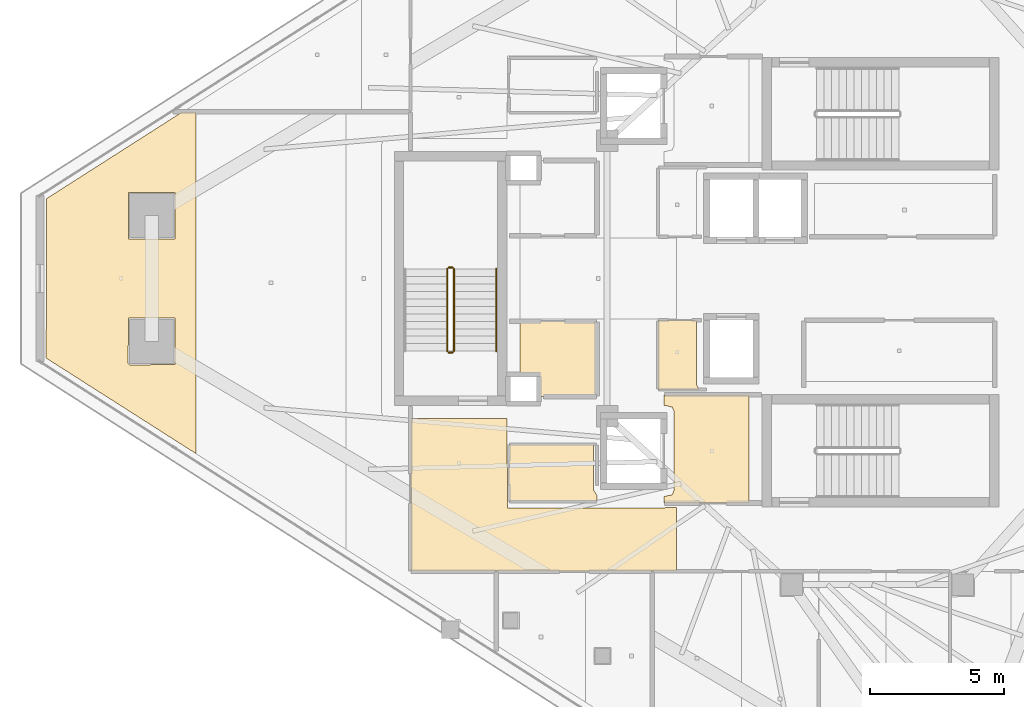
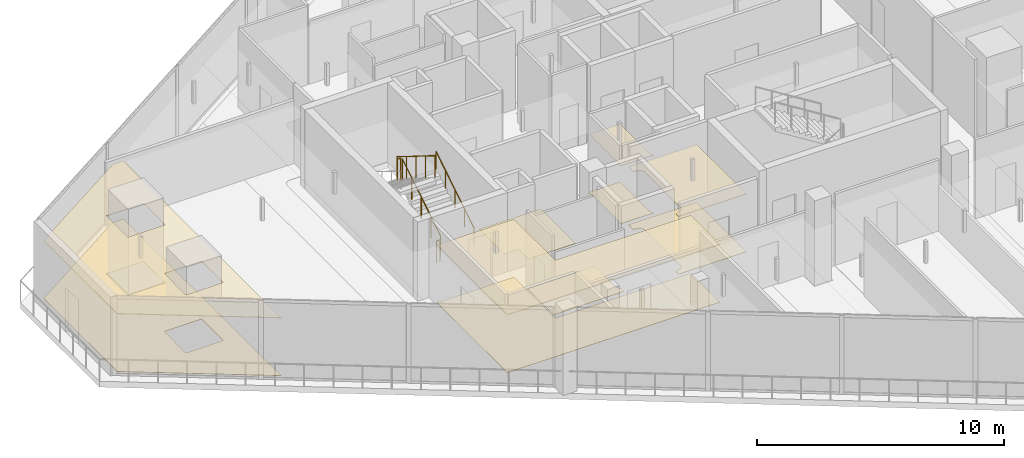
# One storey, part 29 of 33: 10 coverings, 5 railings.
"""IFC4 building model written with IfcOpenShell, lengths in metres."""

import ifcopenshell
import ifcopenshell.guid

model = None  # the IFC model being written
_history = None  # IfcOwnerHistory: only IFC2X3 demands one
_inside = {}  # id of a spatial element -> (the spatial element, [elements in it])
_under = {}  # id of a project, library or spatial element -> (it, [spatial elements below it])
_declared = {}  # id of a project -> (the project, [libraries it declares])
_typed = {}  # id of a type object -> (the type object, [elements of that type])
_made_of = {}  # id of a material, layer set ... -> (it, [elements and type objects made of it])


def new_model(schema):
    """Start an empty IFC model of exactly this schema.

    Asked for "IFC4X3", IfcOpenShell would pick the latest addendum, in which some entities
    have other attributes; the version numbers below select the first issue.
    IFC2X3 requires an IfcOwnerHistory on every rooted entity: one is made here for all.
    """
    global model, _history
    if schema == "IFC4X3":
        model = ifcopenshell.file(schema_version=(4, 3, 0, 0))
    else:
        model = ifcopenshell.file(schema=schema)
    _inside.clear()
    _under.clear()
    _declared.clear()
    _typed.clear()
    _made_of.clear()
    _history = None
    if model.schema == "IFC2X3":
        org = make("IfcOrganization", Name="unknown")
        user = make(
            "IfcPersonAndOrganization",
            ThePerson=make("IfcPerson", FamilyName="unknown"),
            TheOrganization=org,
        )
        app = make(
            "IfcApplication",
            ApplicationDeveloper=org,
            Version="unknown",
            ApplicationFullName="unknown",
            ApplicationIdentifier="unknown",
        )
        _history = make(
            "IfcOwnerHistory",
            OwningUser=user,
            OwningApplication=app,
            ChangeAction="ADDED",
            CreationDate=0,
        )
    return model


def make(cls, **values):
    """One entity of the class cls with the attributes given. An attribute that is None is left unset."""
    return model.create_entity(
        cls, **{name: value for name, value in values.items() if value is not None}
    )


def rooted(cls, **values):
    """An entity with a GlobalId (a new one), such as an element, a storey or a relation."""
    return make(cls, GlobalId=ifcopenshell.guid.new(), OwnerHistory=_history, **values)


def si_unit(unit_type, name, prefix=None):
    """IfcSIUnit, for example si_unit("LENGTHUNIT", "METRE", prefix="MILLI")."""
    return make("IfcSIUnit", UnitType=unit_type, Prefix=prefix, Name=name)


def assignment(units):
    """IfcUnitAssignment: the units of a project."""
    return None if units is None else make("IfcUnitAssignment", Units=units)


def point(xyz):
    """IfcCartesianPoint."""
    return None if xyz is None else make("IfcCartesianPoint", Coordinates=xyz)


def direction(xyz):
    """IfcDirection."""
    return None if xyz is None else make("IfcDirection", DirectionRatios=xyz)


def frame(location, z_axis=None, x_axis=None):
    """IfcAxis2Placement3D, a coordinate frame: its origin and axes. An axis left out is left unset."""
    return make(
        "IfcAxis2Placement3D",
        Location=point(location),
        Axis=direction(z_axis),
        RefDirection=direction(x_axis),
    )


def frame_2d(location, x_axis=None):
    """IfcAxis2Placement2D, a coordinate frame in the plane: its origin and x axis."""
    return make(
        "IfcAxis2Placement2D", Location=point(location), RefDirection=direction(x_axis)
    )


def origin():
    """The frame at (0, 0, 0) with its axes left unset."""
    return frame((0.0, 0.0, 0.0))


def origin_2d():
    """The frame at (0, 0) in the plane with its x axis left unset."""
    return frame_2d((0.0, 0.0))


def place(relative_to, where):
    """IfcLocalPlacement: puts the frame where relative to a parent placement (None: the world)."""
    return make(
        "IfcLocalPlacement", PlacementRelTo=relative_to, RelativePlacement=where
    )


def context(
    kind, dimensions, precision=None, world=None, true_north=None, identifier=None
):
    """IfcGeometricRepresentationContext, for example the 3D "Model" context."""
    return make(
        "IfcGeometricRepresentationContext",
        ContextIdentifier=identifier,
        ContextType=kind,
        CoordinateSpaceDimension=dimensions,
        Precision=precision,
        WorldCoordinateSystem=world,
        TrueNorth=true_north,
    )


def subcontext(parent, identifier, kind, view, scale=None):
    """IfcGeometricRepresentationSubContext, for example "Body" below "Model"."""
    return make(
        "IfcGeometricRepresentationSubContext",
        ContextIdentifier=identifier,
        ContextType=kind,
        ParentContext=parent,
        TargetScale=scale,
        TargetView=view,
    )


def project(units=None, contexts=None):
    """IfcProject with its units and contexts."""
    return rooted(
        "IfcProject",
        Name="project",
        RepresentationContexts=contexts,
        UnitsInContext=assignment(units),
    )


def spatial(cls, under=None, at=None, **own):
    """A site, building, storey or space (cls), placed at a placement, below another one or the project."""
    s = rooted(cls, ObjectPlacement=at, **own)
    if under is not None:
        _under.setdefault(under.id(), (under, []))[1].append(s)
    return s


def polyline(points):
    """IfcPolyline through the points."""
    return make("IfcPolyline", Points=[point(p) for p in points])


def profile(cls, at=None, kind="AREA", **sizes):
    """A parametric profile (cls). Its sizes go by their IFC names, for example OverallWidth=200.0."""
    return make(cls, ProfileType=kind, Position=at, **sizes)


def circle(**sizes):
    """IfcCircleProfileDef."""
    return profile("IfcCircleProfileDef", **sizes)


def outline(outer, holes=None, kind="AREA"):
    """IfcArbitraryClosedProfileDef: a profile drawn as a closed curve; with holes, ...WithVoids."""
    if holes is None:
        return make("IfcArbitraryClosedProfileDef", ProfileType=kind, OuterCurve=outer)
    return make(
        "IfcArbitraryProfileDefWithVoids",
        ProfileType=kind,
        OuterCurve=outer,
        InnerCurves=holes,
    )


def extrude(swept, where, along, depth):
    """IfcExtrudedAreaSolid: the profile swept, set in the frame where, extruded along a direction by depth."""
    return make(
        "IfcExtrudedAreaSolid",
        SweptArea=swept,
        Position=where,
        ExtrudedDirection=direction(along),
        Depth=depth,
    )


def shape(context_of_items, identifier, shape_type, items):
    """IfcShapeRepresentation: the items that make up one representation, for example the "Body"."""
    return make(
        "IfcShapeRepresentation",
        ContextOfItems=context_of_items,
        RepresentationIdentifier=identifier,
        RepresentationType=shape_type,
        Items=items,
    )


def material(Name=None, Category=None):
    """IfcMaterial."""
    return make("IfcMaterial", Name=Name, Category=Category)


def layer(
    of_material, thickness, ventilated=None, Name=None, Category=None, Priority=None
):
    """IfcMaterialLayer: one layer of a wall or slab, of a material (None: an air gap)."""
    return make(
        "IfcMaterialLayer",
        Material=of_material,
        LayerThickness=thickness,
        IsVentilated=ventilated,
        Name=Name,
        Category=Category,
        Priority=Priority,
    )


def layer_set(layers, Name=None):
    """IfcMaterialLayerSet."""
    return make("IfcMaterialLayerSet", MaterialLayers=layers, LayerSetName=Name)


def made_of(thing, what):
    """Note that an element or type object is made of a material, layer set ...; save() writes the relation."""
    if what is not None:
        _made_of.setdefault(what.id(), (what, []))[1].append(thing)
    return thing


def type_object(cls, material=None, **own):
    """A type object (cls), such as IfcWallType, which elements share."""
    return made_of(rooted(cls, **own), material)


def element(
    cls,
    number,
    at=None,
    inside=None,
    cuts=None,
    type_object=None,
    material=None,
    context=None,
    identifier="Body",
    shape_type=None,
    held_by="IfcProductDefinitionShape",
    body=None,
    shapes=None,
    **own,
):
    """One element of the class cls, such as IfcWall. Its Tag is "e" and its number.

    at: its placement. inside: the storey or other place that contains it. cuts: it is an
    opening in that element (IfcRelVoidsElement). A single representation is given by context,
    identifier, shape_type and body (its items); several are given by shapes. held_by: the class
    of the entity that holds the representations. save() writes the other relations.
    """
    e = rooted(cls, Tag="e%d" % number, ObjectPlacement=at, **own)
    if body is not None:
        shapes = [shape(context, identifier, shape_type, body)]
    if shapes is not None:
        e.Representation = make(held_by, Representations=shapes)
    if inside is not None:
        _inside.setdefault(inside.id(), (inside, []))[1].append(e)
    if cuts is not None:
        rooted(
            "IfcRelVoidsElement", RelatingBuildingElement=cuts, RelatedOpeningElement=e
        )
    if type_object is not None:
        _typed.setdefault(type_object.id(), (type_object, []))[1].append(e)
    return made_of(e, material)


def aggregate(whole, parts):
    """IfcRelAggregates: a whole, such as a stair, and the parts it consists of."""
    return rooted("IfcRelAggregates", RelatingObject=whole, RelatedObjects=parts)


def save(model, path):
    """Write the relations noted so far, then the file.

    IfcRelAggregates (storeys below a building ...), IfcRelContainedInSpatialStructure (elements
    in a storey), IfcRelDefinesByType, IfcRelAssociatesMaterial and IfcRelDeclares: one each for
    every whole, place, type object, material and project.
    """
    for whole, parts in _under.values():
        aggregate(whole, parts)
    for where, things in _inside.values():
        rooted(
            "IfcRelContainedInSpatialStructure",
            RelatedElements=things,
            RelatingStructure=where,
        )
    for kind, things in _typed.values():
        rooted("IfcRelDefinesByType", RelatedObjects=things, RelatingType=kind)
    for what, things in _made_of.values():
        rooted("IfcRelAssociatesMaterial", RelatedObjects=things, RelatingMaterial=what)
    for by, libraries in _declared.values():
        rooted("IfcRelDeclares", RelatingContext=by, RelatedDefinitions=libraries)
    model.write(path)


model = new_model("IFC4")

# Units and contexts
model_context = context("Model", 3, precision=1e-05, world=origin(), true_north=direction((0.0, 1.0)))
body_context = subcontext(model_context, "Body", "Model", "MODEL_VIEW")
ifc_project = project(units=[si_unit("LENGTHUNIT", "METRE"), si_unit("AREAUNIT", "SQUARE_METRE"), si_unit("VOLUMEUNIT", "CUBIC_METRE"), si_unit("PLANEANGLEUNIT", "RADIAN"), si_unit("MASSUNIT", "GRAM", prefix="KILO")], contexts=[model_context])

# Site, building, storey
site_placement = place(None, origin())
site = spatial("IfcSite", under=ifc_project, at=site_placement, CompositionType="ELEMENT")
building_placement = place(site_placement, origin())
building = spatial("IfcBuilding", under=site, at=building_placement, Name="Qorvath Tower", CompositionType="ELEMENT")
storey_placement = place(building_placement, frame((0.0, 0.0, 280.800048828125)))
storey = spatial("IfcBuildingStorey", under=building, at=storey_placement, Name="L65", CompositionType="ELEMENT", Elevation=280.800048828125)

# Coverings
ifc_material_1 = material(Name="Acoustic mineral fibre ceiling tile", Category="gypsum")
ifc_layer_1 = layer(ifc_material_1, 0.030029296875)
ifc_layer_set_1 = layer_set([ifc_layer_1], Name="COV-CEIL")
covering_type_1 = type_object("IfcCoveringType", Name="COV-CEIL", PredefinedType="CEILING", material=ifc_layer_set_1)
covering_1_placement = place(storey_placement, frame((0.0, 0.0, 2.849853515625)))
element("IfcCovering", 1, at=covering_1_placement, inside=storey, type_object=covering_type_1, Name="L65 Suspended Acoustic Ceiling 002", PredefinedType="CEILING", context=body_context, shape_type="SweptSolid", body=[
    extrude(outline(polyline([(-25.18994140625, -8.39501953125), (-25.18994140625, -4.35498046875), (-28.375, -4.35498046875), (-28.375, -4.739990234375), (-28.063232421875, -4.813232421875), (-27.989990234375, -4.989990234375), (-27.989990234375, -7.909912109375), (-28.063232421875, -8.086669921875), (-28.375, -8.159912109375), (-28.375, -8.39501953125), (-25.18994140625, -8.39501953125)])), origin(), (0.0, 0.0, 1.0), 0.030029296875),
])
covering_2_placement = place(storey_placement, frame((0.0, 0.0, 2.849853515625)))
element("IfcCovering", 2, at=covering_2_placement, inside=storey, type_object=covering_type_1, Name="L65 Suspended Acoustic Ceiling 006", PredefinedType="CEILING", context=body_context, shape_type="SweptSolid", body=[
    extrude(outline(polyline([(-27.06689453125, -4.14501953125), (-27.159912109375, -3.9599609375), (-27.159912109375, -1.56494140625), (-28.594970703125, -1.56494140625), (-28.594970703125, -4.14501953125), (-27.06689453125, -4.14501953125)])), origin(), (0.0, 0.0, 1.0), 0.030029296875),
])
covering_3_placement = place(storey_placement, frame((0.0, 0.0, 2.849853515625)))
element("IfcCovering", 3, at=covering_3_placement, inside=storey, type_object=covering_type_1, Name="L65 Suspended Acoustic Ceiling 011", PredefinedType="CEILING", context=body_context, shape_type="SweptSolid", body=[
    extrude(outline(polyline([(-34.22509765625, -8.580078125), (-34.251220703125, -5.239990234375), (-37.844970703125, -5.239990234375), (-37.844970703125, -10.945068359375), (-27.8984375, -10.945068359375), (-27.8984375, -8.575927734375), (-34.22509765625, -8.580078125)])), origin(), (0.0, 0.0, 1.0), 0.030029296875),
])
covering_4_placement = place(storey_placement, frame((0.0, 0.0, 2.849853515625)))
element("IfcCovering", 4, at=covering_4_placement, inside=storey, type_object=covering_type_1, Name="L65 Suspended Acoustic Ceiling 039", PredefinedType="CEILING", context=body_context, shape_type="SweptSolid", body=[
    extrude(outline(polyline([(-51.480712890625, 2.98193359375), (-51.48388671875, -2.9794921875), (-45.876953125, -6.554443359375), (-45.876953125, 6.234619140625), (-46.38720703125, 6.234619140625), (-51.480712890625, 2.98193359375)]), holes=[polyline([(-48.422607421875, -3.174560546875), (-48.405029296875, -1.482177734375), (-46.670166015625, -1.482177734375), (-46.670166015625, -3.217041015625), (-48.362548828125, -3.234619140625), (-48.422607421875, -3.174560546875)]), polyline([(-48.405029296875, 1.482177734375), (-48.405029296875, 3.217041015625), (-46.670166015625, 3.217041015625), (-46.670166015625, 1.482177734375), (-48.405029296875, 1.482177734375)])]), origin(), (0.0, 0.0, 1.0), 0.030029296875),
])
ifc_material_2 = material(Name="Low-VOC modular carpet tile", Category="textile")
ifc_layer_2 = layer(ifc_material_2, 0.014892578125)
ifc_layer_set_2 = layer_set([ifc_layer_2], Name="COV-FLOOR-CPT")
covering_type_2 = type_object("IfcCoveringType", Name="COV-FLOOR-CPT", PredefinedType="FLOORING", material=ifc_layer_set_2)
covering_5_placement = place(storey_placement, origin())
element("IfcCovering", 5, at=covering_5_placement, inside=storey, type_object=covering_type_2, Name="L65 Floor Finish 006", PredefinedType="FLOORING", context=body_context, shape_type="SweptSolid", body=[
    extrude(outline(polyline([(-27.06689453125, -4.14501953125), (-27.159912109375, -3.9599609375), (-27.159912109375, -1.56494140625), (-28.594970703125, -1.56494140625), (-28.594970703125, -4.14501953125), (-27.06689453125, -4.14501953125)])), origin(), (0.0, 0.0, 1.0), 0.014892578125),
])
covering_6_placement = place(storey_placement, origin())
element("IfcCovering", 6, at=covering_6_placement, inside=storey, type_object=covering_type_2, Name="L65 Floor Finish 010", PredefinedType="FLOORING", context=body_context, shape_type="SweptSolid", body=[
    extrude(outline(polyline([(-30.885009765625, -4.4150390625), (-30.885009765625, -1.60498046875), (-33.760009765625, -1.60498046875), (-33.760009765625, -3.636962890625), (-33.08837890625, -3.638427734375), (-33.0869140625, -4.4150390625), (-30.885009765625, -4.4150390625)])), origin(), (0.0, 0.0, 1.0), 0.014892578125),
])
covering_7_placement = place(storey_placement, origin())
element("IfcCovering", 7, at=covering_7_placement, inside=storey, type_object=covering_type_2, Name="L65 Floor Finish 039", PredefinedType="FLOORING", context=body_context, shape_type="SweptSolid", body=[
    extrude(outline(polyline([(-51.480712890625, 2.98193359375), (-51.48388671875, -2.9794921875), (-45.876953125, -6.554443359375), (-45.876953125, 6.234619140625), (-46.38720703125, 6.234619140625), (-51.480712890625, 2.98193359375)]), holes=[polyline([(-48.422607421875, -3.174560546875), (-48.405029296875, -1.482177734375), (-46.670166015625, -1.482177734375), (-46.670166015625, -3.217041015625), (-48.362548828125, -3.234619140625), (-48.422607421875, -3.174560546875)]), polyline([(-48.405029296875, 1.482177734375), (-48.405029296875, 3.217041015625), (-46.670166015625, 3.217041015625), (-46.670166015625, 1.482177734375), (-48.405029296875, 1.482177734375)])]), origin(), (0.0, 0.0, 1.0), 0.014892578125),
])
ifc_material_3 = material(Name="Polished epoxy terrazzo flooring", Category="concrete")
ifc_layer_3 = layer(ifc_material_3, 0.02001953125)
ifc_layer_set_3 = layer_set([ifc_layer_3], Name="COV-FLOOR-TRZ")
covering_type_3 = type_object("IfcCoveringType", Name="COV-FLOOR-TRZ", PredefinedType="FLOORING", material=ifc_layer_set_3)
covering_8_placement = place(storey_placement, origin())
element("IfcCovering", 8, at=covering_8_placement, inside=storey, type_object=covering_type_3, Name="L65 Floor Finish 002", PredefinedType="FLOORING", context=body_context, shape_type="SweptSolid", body=[
    extrude(outline(polyline([(-25.18994140625, -8.39501953125), (-25.18994140625, -4.35498046875), (-28.375, -4.35498046875), (-28.375, -4.739990234375), (-28.063232421875, -4.813232421875), (-27.989990234375, -4.989990234375), (-27.989990234375, -7.909912109375), (-28.063232421875, -8.086669921875), (-28.375, -8.159912109375), (-28.375, -8.39501953125), (-25.18994140625, -8.39501953125)])), origin(), (0.0, 0.0, 1.0), 0.014892578125),
])
covering_9_placement = place(storey_placement, origin())
element("IfcCovering", 9, at=covering_9_placement, inside=storey, type_object=covering_type_3, Name="L65 Floor Finish 009", PredefinedType="FLOORING", context=body_context, shape_type="SweptSolid", body=[
    extrude(outline(polyline([(-30.885009765625, -8.344970703125), (-30.885009765625, -8.108154296875), (-31.010009765625, -7.909912109375), (-31.010009765625, -6.205078125), (-34.175048828125, -6.205078125), (-34.175048828125, -8.344970703125), (-30.885009765625, -8.344970703125)])), origin(), (0.0, 0.0, 1.0), 0.014892578125),
])
covering_10_placement = place(storey_placement, origin())
element("IfcCovering", 10, at=covering_10_placement, inside=storey, type_object=covering_type_3, Name="L65 Floor Finish 011", PredefinedType="FLOORING", context=body_context, shape_type="SweptSolid", body=[
    extrude(outline(polyline([(-34.22509765625, -8.580078125), (-34.251220703125, -5.239990234375), (-37.844970703125, -5.239990234375), (-37.844970703125, -10.945068359375), (-27.8984375, -10.945068359375), (-27.8984375, -8.575927734375), (-34.22509765625, -8.580078125)])), origin(), (0.0, 0.0, 1.0), 0.014892578125),
])

# Railings
ifc_material_4 = material(Name="Painted galvanised steel", Category="steel")
railing_type_1 = type_object("IfcRailingType", Name="RL-STR-GRD", PredefinedType="GUARDRAIL", material=ifc_material_4)
railing_1_placement = place(storey_placement, frame((-36.22998046875, -2.719970703125, 0.175048828125)))
element("IfcRailing", 11, at=railing_1_placement, inside=storey, type_object=railing_type_1, Name="L65 TS3 stair guard 1", PredefinedType="GUARDRAIL", context=body_context, shape_type="SweptSolid", body=[
    extrude(circle(Radius=0.02392578125, at=origin_2d()), frame((0.0, 0.0, 1.076171875), z_axis=(0.0, 0.848028513186, 0.529950602248), x_axis=(-1.0, 0.0, 0.0)), (0.0, 0.0, 1.0), 3.632080078125),
    extrude(circle(Radius=0.02099609375, at=origin_2d()), origin(), (0.0, 0.0, 1.0), 1.052001953125),
    extrude(circle(Radius=0.02099609375, at=origin_2d()), frame((0.0, 0.77001953125, 0.481201171875)), (0.0, 0.0, 1.0), 1.052001953125),
    extrude(circle(Radius=0.02099609375, at=origin_2d()), frame((0.0, 1.5400390625, 0.96240234375)), (0.0, 0.0, 1.0), 1.052001953125),
    extrude(circle(Radius=0.02099609375, at=origin_2d()), frame((0.0, 2.31005859375, 1.443603515625)), (0.0, 0.0, 1.0), 1.052001953125),
    extrude(circle(Radius=0.02099609375, at=origin_2d()), frame((0.0, 3.080078125, 1.9248046875)), (0.0, 0.0, 1.0), 1.052001953125),
])
railing_2_placement = place(storey_placement, frame((-36.280029296875, 0.409912109375, 2.099853515625)))
element("IfcRailing", 12, at=railing_2_placement, inside=storey, type_object=railing_type_1, Name="L65 TS3 stair guard 2", PredefinedType="GUARDRAIL", context=body_context, shape_type="SweptSolid", body=[
    extrude(circle(Radius=0.02392578125, at=origin_2d()), frame((0.0, 0.0, 1.076171875), z_axis=(-1.0, 0.0, 0.0), x_axis=(0.0, -1.0, 0.0)), (0.0, 0.0, 1.0), 0.14990234375),
    extrude(circle(Radius=0.02099609375, at=origin_2d()), origin(), (0.0, 0.0, 1.0), 1.052001953125),
    extrude(circle(Radius=0.02099609375, at=origin_2d()), frame((-0.14990234375, 0.0, 0.0)), (0.0, 0.0, 1.0), 1.052001953125),
])
railing_3_placement = place(storey_placement, frame((-36.47998046875, 0.360107421875, 2.27490234375)))
element("IfcRailing", 13, at=railing_3_placement, inside=storey, type_object=railing_type_1, Name="L65 TS3 stair guard 3", PredefinedType="GUARDRAIL", context=body_context, shape_type="SweptSolid", body=[
    extrude(circle(Radius=0.02392578125, at=origin_2d()), frame((0.0, 0.0, 1.076171875), z_axis=(0.0, -0.847998304005, 0.529998940003), x_axis=(1.0, 0.0, 0.0)), (0.0, 0.0, 1.0), 3.632080078125),
    extrude(circle(Radius=0.02099609375, at=origin_2d()), origin(), (0.0, 0.0, 1.0), 1.052001953125),
    extrude(circle(Radius=0.02099609375, at=origin_2d()), frame((0.0, -0.77001953125, 0.481201171875)), (0.0, 0.0, 1.0), 1.052001953125),
    extrude(circle(Radius=0.02099609375, at=origin_2d()), frame((0.0, -1.5400390625, 0.96240234375)), (0.0, 0.0, 1.0), 1.052001953125),
    extrude(circle(Radius=0.02099609375, at=origin_2d()), frame((0.0, -2.31005859375, 1.44384765625)), (0.0, 0.0, 1.0), 1.052001953125),
    extrude(circle(Radius=0.02099609375, at=origin_2d()), frame((0.0, -3.080078125, 1.925048828125)), (0.0, 0.0, 1.0), 1.052001953125),
])
railing_4_placement = place(storey_placement, frame((-36.280029296875, -2.77001953125, 0.0)))
element("IfcRailing", 14, at=railing_4_placement, inside=storey, type_object=railing_type_1, Name="L65 TS3 stair guard 4", PredefinedType="GUARDRAIL", context=body_context, shape_type="SweptSolid", body=[
    extrude(circle(Radius=0.02392578125, at=origin_2d()), frame((0.0, 0.0, 1.076171875), z_axis=(-1.0, 0.0, 0.0), x_axis=(0.0, -1.0, 0.0)), (0.0, 0.0, 1.0), 0.14990234375),
    extrude(circle(Radius=0.02099609375, at=origin_2d()), origin(), (0.0, 0.0, 1.0), 1.052001953125),
    extrude(circle(Radius=0.02099609375, at=origin_2d()), frame((-0.14990234375, 0.0, 0.0)), (0.0, 0.0, 1.0), 1.052001953125),
])
ifc_material_5 = material(Name="Brushed stainless steel AISI 304", Category="steel")
railing_type_2 = type_object("IfcRailingType", Name="RL-STR-HND", PredefinedType="HANDRAIL", material=ifc_material_5)
railing_5_placement = place(storey_placement, frame((-34.64990234375, -2.719970703125, 0.175048828125)))
element("IfcRailing", 15, at=railing_5_placement, inside=storey, type_object=railing_type_2, Name="L65 TS3 stair handrail 1", PredefinedType="HANDRAIL", context=body_context, shape_type="SweptSolid", body=[
    extrude(circle(Radius=0.02392578125, at=origin_2d()), frame((0.0, 0.0, 0.8759765625), z_axis=(0.0, 0.848028513186, 0.529950602248), x_axis=(-1.0, 0.0, 0.0)), (0.0, 0.0, 1.0), 3.632080078125),
    extrude(circle(Radius=0.02099609375, at=origin_2d()), origin(), (0.0, 0.0, 1.0), 0.851806640625),
    extrude(circle(Radius=0.02099609375, at=origin_2d()), frame((0.0, 0.77001953125, 0.481201171875)), (0.0, 0.0, 1.0), 0.851806640625),
    extrude(circle(Radius=0.02099609375, at=origin_2d()), frame((0.0, 1.5400390625, 0.96240234375)), (0.0, 0.0, 1.0), 0.851806640625),
    extrude(circle(Radius=0.02099609375, at=origin_2d()), frame((0.0, 2.31005859375, 1.443603515625)), (0.0, 0.0, 1.0), 0.851806640625),
    extrude(circle(Radius=0.02099609375, at=origin_2d()), frame((0.0, 3.080078125, 1.9248046875)), (0.0, 0.0, 1.0), 0.851806640625),
])

save(model, "model.ifc")
